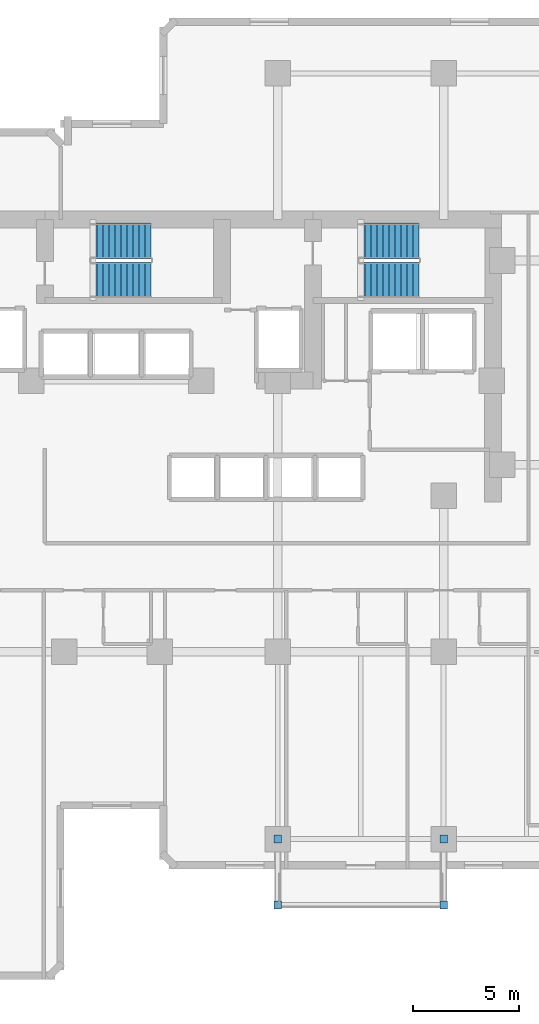
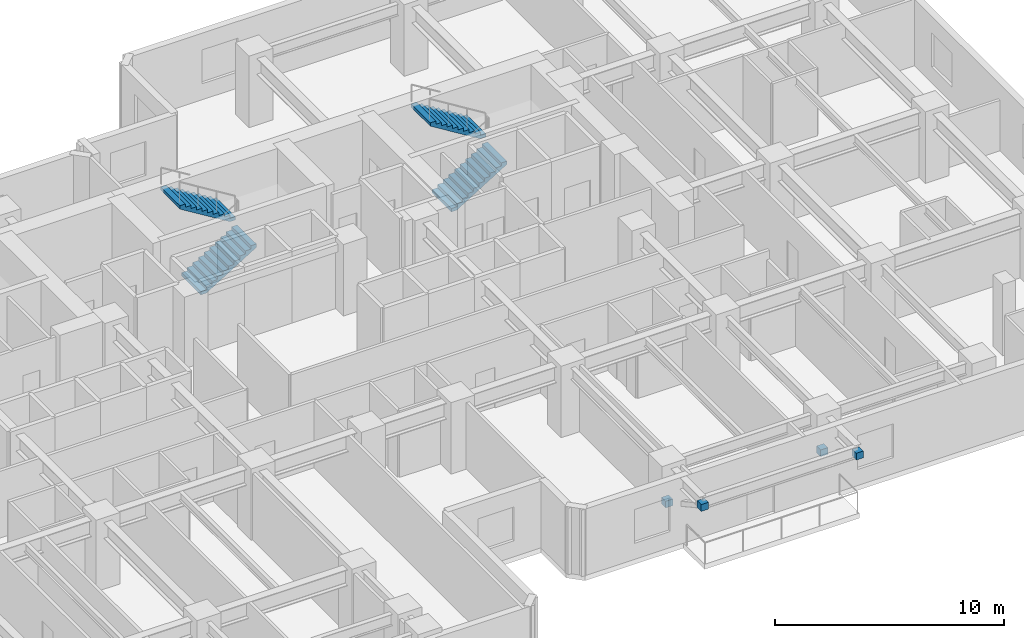
# One storey, part 10 of 12: 4 discrete accessories, 4 stair flights, 2 elements without a shape of their own.
"""IFC4 building model written with IfcOpenShell, lengths in metres."""

from ifc_helpers import new_model, si_unit, direction, frame, origin, origin_2d, place, context, subcontext, project, spatial, polyline, rectangle, outline, extrude, material, type_object, element, aggregate, save


model = new_model("IFC4")

# Units and contexts
model_context = context("Model", 3, precision=1e-05, world=origin(), true_north=direction((0.0, 1.0)))
body_context = subcontext(model_context, "Body", "Model", "MODEL_VIEW")
ifc_project = project(units=[si_unit("LENGTHUNIT", "METRE"), si_unit("AREAUNIT", "SQUARE_METRE"), si_unit("VOLUMEUNIT", "CUBIC_METRE"), si_unit("PLANEANGLEUNIT", "RADIAN"), si_unit("MASSUNIT", "GRAM", prefix="KILO")], contexts=[model_context])

# Site, building, storey
site_placement = place(None, origin())
site = spatial("IfcSite", under=ifc_project, at=site_placement, CompositionType="ELEMENT")
building_placement = place(site_placement, origin())
building = spatial("IfcBuilding", under=site, at=building_placement, Name="Kestravale Grand Hotel", CompositionType="ELEMENT")
storey_placement = place(building_placement, frame((0.0, 0.0, 122.199951171875)))
storey = spatial("IfcBuildingStorey", under=building, at=storey_placement, Name="L30", CompositionType="ELEMENT", Elevation=122.199951171875)

# Stair, stair flights
ifc_material_1 = material(Name="Concrete f'c 45 MPa", Category="concrete")
stair_type = type_object("IfcStairType", Name="ST-CORE-380", PredefinedType="HALF_TURN_STAIR", material=ifc_material_1)
stair_1_placement = place(storey_placement, origin())
stair_1 = element("IfcStair", 1, at=stair_1_placement, inside=storey, type_object=stair_type, Name="L30 ST-2", PredefinedType="HALF_TURN_STAIR")
ifc_material_2 = material(Name="Concrete f'c 45 MPa", Category="concrete")
stair_flight_type = type_object("IfcStairFlightType", Name="STF-CORE-380", PredefinedType="STRAIGHT", material=ifc_material_2)
stair_flight_1_placement = place(storey_placement, frame((38.030029296875, 37.489990234375, 0.0), z_axis=(0.0, 0.0, 1.0), x_axis=(1.0, 0.0, 0.0)))
stair_flight_1 = element("IfcStairFlight", 2, at=stair_flight_1_placement, type_object=stair_flight_type, Name="ST-2 flight 1", NumberOfRisers=11, NumberOfTreads=10, PredefinedType="STRAIGHT", RiserHeight=0.172727273, TreadLength=0.28, context=body_context, shape_type="SweptSolid", body=[
    extrude(outline(polyline([(0.0, 0.0), (0.0, 0.172607421875), (0.280029296875, 0.172607421875), (0.280029296875, 0.345458984375), (0.56005859375, 0.345458984375), (0.56005859375, 0.51806640625), (0.840087890625, 0.51806640625), (0.840087890625, 0.69091796875), (1.1201171875, 0.69091796875), (1.1201171875, 0.863525390625), (1.39990234375, 0.863525390625), (1.39990234375, 1.036376953125), (1.679931640625, 1.036376953125), (1.679931640625, 1.208984375), (1.9599609375, 1.208984375), (1.9599609375, 1.3818359375), (2.239990234375, 1.3818359375), (2.239990234375, 1.554443359375), (2.52001953125, 1.554443359375), (2.52001953125, 1.727294921875), (2.800048828125, 1.727294921875), (2.800048828125, 1.89990234375), (2.800048828125, 1.551025390625), (0.285400390625, 0.0), (0.0, 0.0)])), frame((0.0, 0.83984375, 0.0), z_axis=(0.0, -1.0, 0.0), x_axis=(1.0, 0.0, 0.0)), (0.0, 0.0, 1.0), 1.679931640625),
])
stair_flight_2_placement = place(storey_placement, frame((40.830078125, 39.320068359375, 1.900146484375), z_axis=(0.0, 0.0, 1.0), x_axis=(-1.0, 0.0, 0.0)))
stair_flight_2 = element("IfcStairFlight", 3, at=stair_flight_2_placement, type_object=stair_flight_type, Name="ST-2 flight 2", NumberOfRisers=11, NumberOfTreads=10, PredefinedType="STRAIGHT", RiserHeight=0.172727273, TreadLength=0.28, context=body_context, shape_type="SweptSolid", body=[
    extrude(outline(polyline([(0.0, 0.0), (0.0, 0.172607421875), (0.280029296875, 0.172607421875), (0.280029296875, 0.345458984375), (0.56005859375, 0.345458984375), (0.56005859375, 0.51806640625), (0.840087890625, 0.51806640625), (0.840087890625, 0.69091796875), (1.1201171875, 0.69091796875), (1.1201171875, 0.863525390625), (1.39990234375, 0.863525390625), (1.39990234375, 1.036376953125), (1.679931640625, 1.036376953125), (1.679931640625, 1.208984375), (1.9599609375, 1.208984375), (1.9599609375, 1.3818359375), (2.239990234375, 1.3818359375), (2.239990234375, 1.554443359375), (2.52001953125, 1.554443359375), (2.52001953125, 1.727294921875), (2.800048828125, 1.727294921875), (2.800048828125, 1.89990234375), (2.800048828125, 1.551025390625), (0.285400390625, 0.0), (0.0, 0.0)])), frame((0.0, 0.83984375, 0.0), z_axis=(0.0, -1.0, 0.0), x_axis=(1.0, 0.0, 0.0)), (0.0, 0.0, 1.0), 1.679931640625),
])
aggregate(stair_1, [stair_flight_1, stair_flight_2])

stair_2_placement = place(storey_placement, origin())
stair_2 = element("IfcStair", 4, at=stair_2_placement, inside=storey, type_object=stair_type, Name="L30 ST-3", PredefinedType="HALF_TURN_STAIR")
stair_flight_3_placement = place(storey_placement, frame((50.6298828125, 37.489990234375, 0.0), z_axis=(0.0, 0.0, 1.0), x_axis=(1.0, 0.0, 0.0)))
stair_flight_3 = element("IfcStairFlight", 5, at=stair_flight_3_placement, type_object=stair_flight_type, Name="ST-3 flight 1", NumberOfRisers=11, NumberOfTreads=10, PredefinedType="STRAIGHT", RiserHeight=0.172727273, TreadLength=0.28, context=body_context, shape_type="SweptSolid", body=[
    extrude(outline(polyline([(0.0, 0.0), (0.0, 0.172607421875), (0.280029296875, 0.172607421875), (0.280029296875, 0.345458984375), (0.56005859375, 0.345458984375), (0.56005859375, 0.51806640625), (0.840087890625, 0.51806640625), (0.840087890625, 0.69091796875), (1.1201171875, 0.69091796875), (1.1201171875, 0.863525390625), (1.39990234375, 0.863525390625), (1.39990234375, 1.036376953125), (1.679931640625, 1.036376953125), (1.679931640625, 1.208984375), (1.9599609375, 1.208984375), (1.9599609375, 1.3818359375), (2.239990234375, 1.3818359375), (2.239990234375, 1.554443359375), (2.52001953125, 1.554443359375), (2.52001953125, 1.727294921875), (2.800048828125, 1.727294921875), (2.800048828125, 1.89990234375), (2.800048828125, 1.551025390625), (0.285400390625, 0.0), (0.0, 0.0)])), frame((0.0, 0.83984375, 0.0), z_axis=(0.0, -1.0, 0.0), x_axis=(1.0, 0.0, 0.0)), (0.0, 0.0, 1.0), 1.679931640625),
])
stair_flight_4_placement = place(storey_placement, frame((53.429931640625, 39.320068359375, 1.900146484375), z_axis=(0.0, 0.0, 1.0), x_axis=(-1.0, 0.0, 0.0)))
stair_flight_4 = element("IfcStairFlight", 6, at=stair_flight_4_placement, type_object=stair_flight_type, Name="ST-3 flight 2", NumberOfRisers=11, NumberOfTreads=10, PredefinedType="STRAIGHT", RiserHeight=0.172727273, TreadLength=0.28, context=body_context, shape_type="SweptSolid", body=[
    extrude(outline(polyline([(0.0, 0.0), (0.0, 0.172607421875), (0.280029296875, 0.172607421875), (0.280029296875, 0.345458984375), (0.56005859375, 0.345458984375), (0.56005859375, 0.51806640625), (0.840087890625, 0.51806640625), (0.840087890625, 0.69091796875), (1.1201171875, 0.69091796875), (1.1201171875, 0.863525390625), (1.39990234375, 0.863525390625), (1.39990234375, 1.036376953125), (1.679931640625, 1.036376953125), (1.679931640625, 1.208984375), (1.9599609375, 1.208984375), (1.9599609375, 1.3818359375), (2.239990234375, 1.3818359375), (2.239990234375, 1.554443359375), (2.52001953125, 1.554443359375), (2.52001953125, 1.727294921875), (2.800048828125, 1.727294921875), (2.800048828125, 1.89990234375), (2.800048828125, 1.551025390625), (0.285400390625, 0.0), (0.0, 0.0)])), frame((0.0, 0.83984375, 0.0), z_axis=(0.0, -1.0, 0.0), x_axis=(1.0, 0.0, 0.0)), (0.0, 0.0, 1.0), 1.679931640625),
])
aggregate(stair_2, [stair_flight_3, stair_flight_4])

# Discrete accessories
ifc_material_3 = material(Name="Steel ASTM A572 Grade 50 hot-dip galvanised bracket", Category="steel")
discrete_accessory_type = type_object("IfcDiscreteAccessoryType", Name="ACC-BRK-STL", PredefinedType="BRACKET", material=ifc_material_3)
for number, where, z_axis, x_axis, name in (
    (7, (46.800048828125, 11.199951171875, 1.19384765625), (0.0, 0.0, 1.0), (1.0, 0.0, 0.0), "L31 terrace strut column bracket 1"),
    (8, (46.800048828125, 8.10009765625, 2.89404296875), (0.0, 0.0, 1.0), (1.0, 0.0, 0.0), "L31 terrace strut beam bracket 1"),
    (9, (54.60009765625, 11.199951171875, 1.19384765625), (0.0, 0.0, 1.0), (1.0, 0.0, 0.0), "L31 terrace strut column bracket 2"),
    (10, (54.60009765625, 8.10009765625, 2.89404296875), (0.0, 0.0, 1.0), (1.0, 0.0, 0.0), "L31 terrace strut beam bracket 2"),
):
    element("IfcDiscreteAccessory", number, at=place(storey_placement, frame(where, z_axis=z_axis, x_axis=x_axis)), inside=storey, type_object=discrete_accessory_type, Name=name, PredefinedType="BRACKET", context=body_context, shape_type="SweptSolid", body=[
        extrude(rectangle(XDim=0.360107421875, YDim=0.360107421875, at=origin_2d()), origin(), (0.0, 0.0, 1.0), 0.360107421875),
    ])

save(model, "model.ifc")
